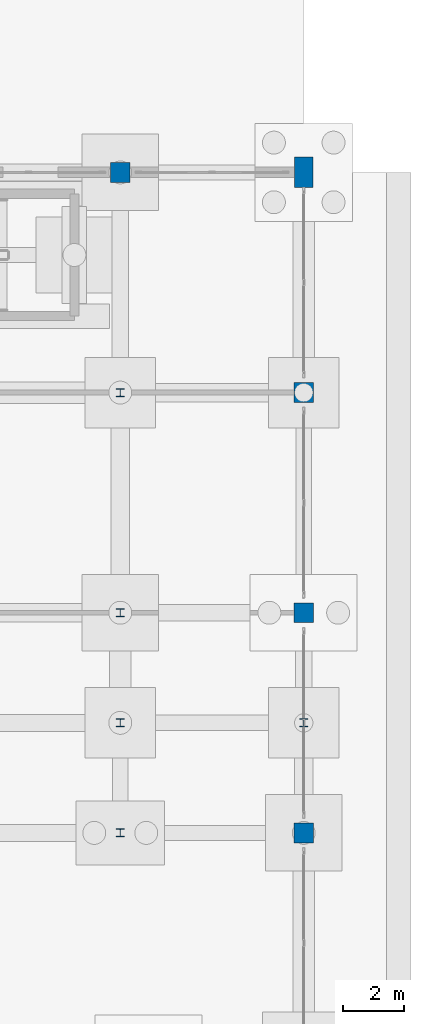
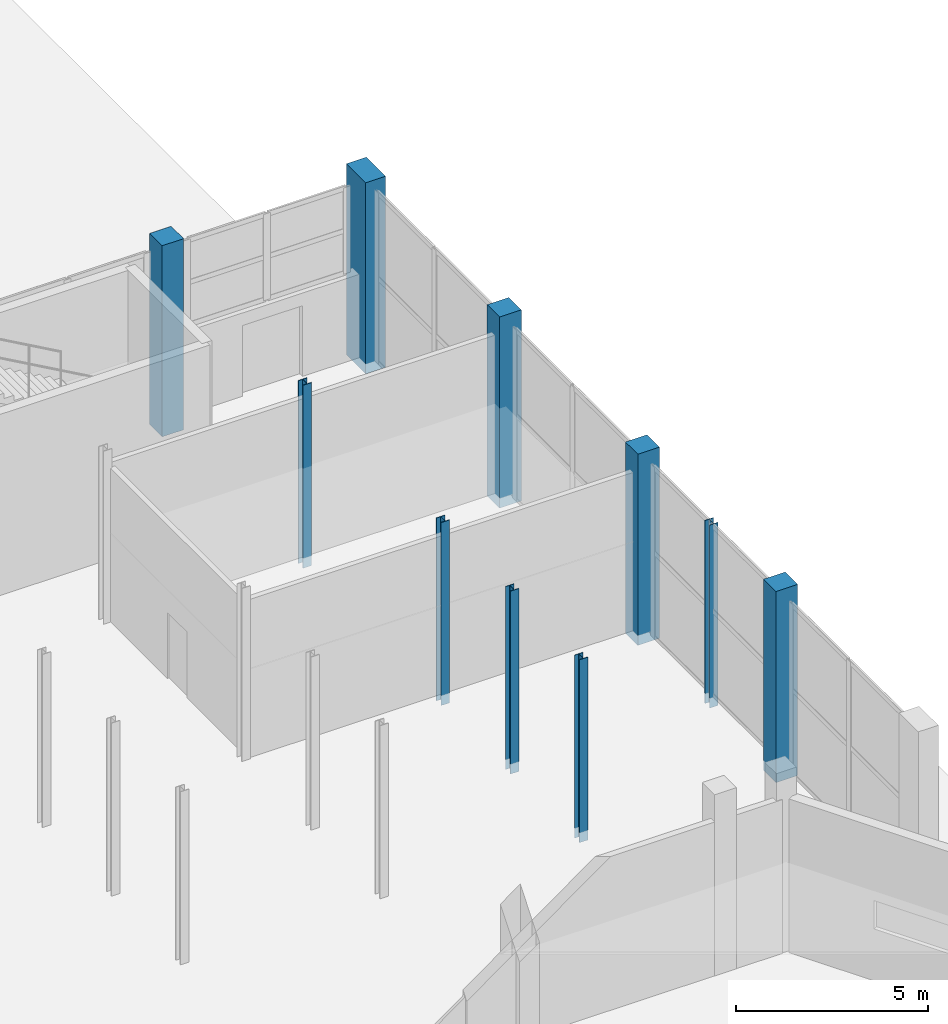
# One storey, part 34 of 103: 10 columns.
"""IFC4 building model written with IfcOpenShell, lengths in metres."""

from ifc_helpers import new_model, si_unit, direction, frame, origin, origin_2d, place, context, subcontext, project, spatial, rectangle, i_section, extrude, material, material_profile, profile_set, type_object, element, save


model = new_model("IFC4")

# Units and contexts
model_context = context("Model", 3, precision=1e-05, world=origin(), true_north=direction((0.0, 1.0)))
body_context = subcontext(model_context, "Body", "Model", "MODEL_VIEW")
ifc_project = project(units=[si_unit("LENGTHUNIT", "METRE"), si_unit("AREAUNIT", "SQUARE_METRE"), si_unit("VOLUMEUNIT", "CUBIC_METRE"), si_unit("PLANEANGLEUNIT", "RADIAN"), si_unit("MASSUNIT", "GRAM", prefix="KILO")], contexts=[model_context])

# Site, building, storey
site_placement = place(None, origin())
site = spatial("IfcSite", under=ifc_project, at=site_placement, CompositionType="ELEMENT")
building_placement = place(site_placement, origin())
building = spatial("IfcBuilding", under=site, at=building_placement, Name="Dunvalen Ferry Terminal", CompositionType="ELEMENT")
storey_placement = place(building_placement, origin())
storey = spatial("IfcBuildingStorey", under=building, at=storey_placement, Name="L00", CompositionType="ELEMENT", Elevation=0.0)

# Columns
ifc_material_1 = material(Name="Concrete C40/50", Category="concrete")
ifc_material_profile_1 = material_profile(ifc_material_1, rectangle(XDim=0.60009765625, YDim=1.0, at=origin_2d()), Name="Concrete C40/50")
ifc_profile_set_1 = profile_set([ifc_material_profile_1], Name="Concrete C40/50")
column_type_1 = type_object("IfcColumnType", Name="STR-COL-PIER1000", PredefinedType="COLUMN", material=ifc_profile_set_1)
column_placement = place(storey_placement, frame((168.0, 86.39990234375, -0.320068359375), z_axis=(0.0, 0.0, 1.0), x_axis=(1.0, 0.0, 0.0)))
element("IfcColumn", 1, at=column_placement, inside=storey, type_object=column_type_1, Name="L00 Arrivals Hall Pier 22", PredefinedType="COLUMN", context=body_context, shape_type="SweptSolid", body=[
    extrude(rectangle(XDim=0.60009765625, YDim=1.0, at=origin_2d()), origin(), (0.0, 0.0, 1.0), 6.080078125),
])
ifc_material_profile_2 = material_profile(ifc_material_1, rectangle(XDim=0.64990234375, YDim=0.64990234375, at=origin_2d()), Name="Concrete C40/50")
ifc_profile_set_2 = profile_set([ifc_material_profile_2], Name="Concrete C40/50")
column_type_2 = type_object("IfcColumnType", Name="STR-COL-RC650", PredefinedType="COLUMN", material=ifc_profile_set_2)
for number, where, z_axis, x_axis, name in (
    (2, (162.0, 86.39990234375, -0.320068359375), (0.0, 0.0, 1.0), (1.0, 0.0, 0.0), "L00 Arrivals Hall Pier 21"),
    (3, (168.0, 64.800048828125, -0.320068359375), (0.0, 0.0, 1.0), (1.0, 0.0, 0.0), "L00 Arrivals Hall Pier 26"),
    (4, (168.0, 72.0, -0.320068359375), (0.0, 0.0, 1.0), (1.0, 0.0, 0.0), "L00 Arrivals Hall Pier 27"),
    (5, (168.0, 79.199951171875, -0.320068359375), (0.0, 0.0, 1.0), (1.0, 0.0, 0.0), "L00 Arrivals Hall Pier 28"),
):
    element("IfcColumn", number, at=place(storey_placement, frame(where, z_axis=z_axis, x_axis=x_axis)), inside=storey, type_object=column_type_2, Name=name, PredefinedType="COLUMN", context=body_context, shape_type="SweptSolid", body=[
        extrude(rectangle(XDim=0.64990234375, YDim=0.64990234375, at=origin_2d()), origin(), (0.0, 0.0, 1.0), 6.080078125),
    ])
ifc_material_2 = material(Name="Steel S355", Category="steel")
ifc_material_profile_3 = material_profile(ifc_material_2, i_section(OverallWidth=0.25634765625, OverallDepth=0.26025390625, WebThickness=0.01025390625, FlangeThickness=0.017333984375, FilletRadius=0.0126953125, at=origin_2d()), Name="Steel S355")
ifc_profile_set_3 = profile_set([ifc_material_profile_3], Name="Steel S355")
column_type_3 = type_object("IfcColumnType", Name="STR-COL-UKC254", PredefinedType="COLUMN", material=ifc_profile_set_3)
for number, where, z_axis, x_axis, name in (
    (6, (162.0, 64.800048828125, -0.320068359375), (0.0, 0.0, 1.0), (1.0, 0.0, 0.0), "L00 Immigration Mezzanine Column 162-64"),
    (7, (162.0, 68.39990234375, -0.320068359375), (0.0, 0.0, 1.0), (1.0, 0.0, 0.0), "L00 Immigration Mezzanine Column 162-68"),
    (8, (162.0, 72.0, -0.320068359375), (0.0, 0.0, 1.0), (1.0, 0.0, 0.0), "L00 Immigration Mezzanine Column 162-72"),
    (9, (162.0, 79.199951171875, -0.320068359375), (0.0, 0.0, 1.0), (1.0, 0.0, 0.0), "L00 Immigration Mezzanine Column 162-79"),
    (10, (168.0, 68.39990234375, -0.320068359375), (0.0, 0.0, 1.0), (1.0, 0.0, 0.0), "L00 Immigration Mezzanine Column 168-68"),
):
    element("IfcColumn", number, at=place(storey_placement, frame(where, z_axis=z_axis, x_axis=x_axis)), inside=storey, type_object=column_type_3, Name=name, PredefinedType="COLUMN", context=body_context, shape_type="SweptSolid", body=[
        extrude(i_section(OverallWidth=0.25634765625, OverallDepth=0.26025390625, WebThickness=0.01025390625, FlangeThickness=0.017333984375, FilletRadius=0.0126953125, at=origin_2d()), origin(), (0.0, 0.0, 1.0), 5.820068359375),
    ])

save(model, "model.ifc")
